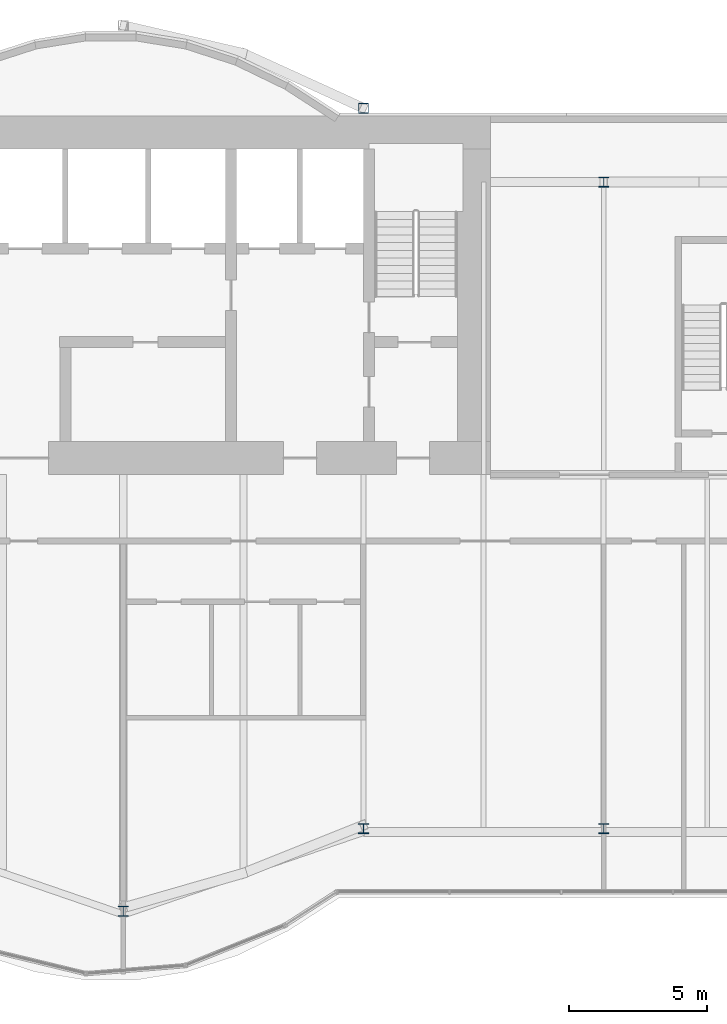
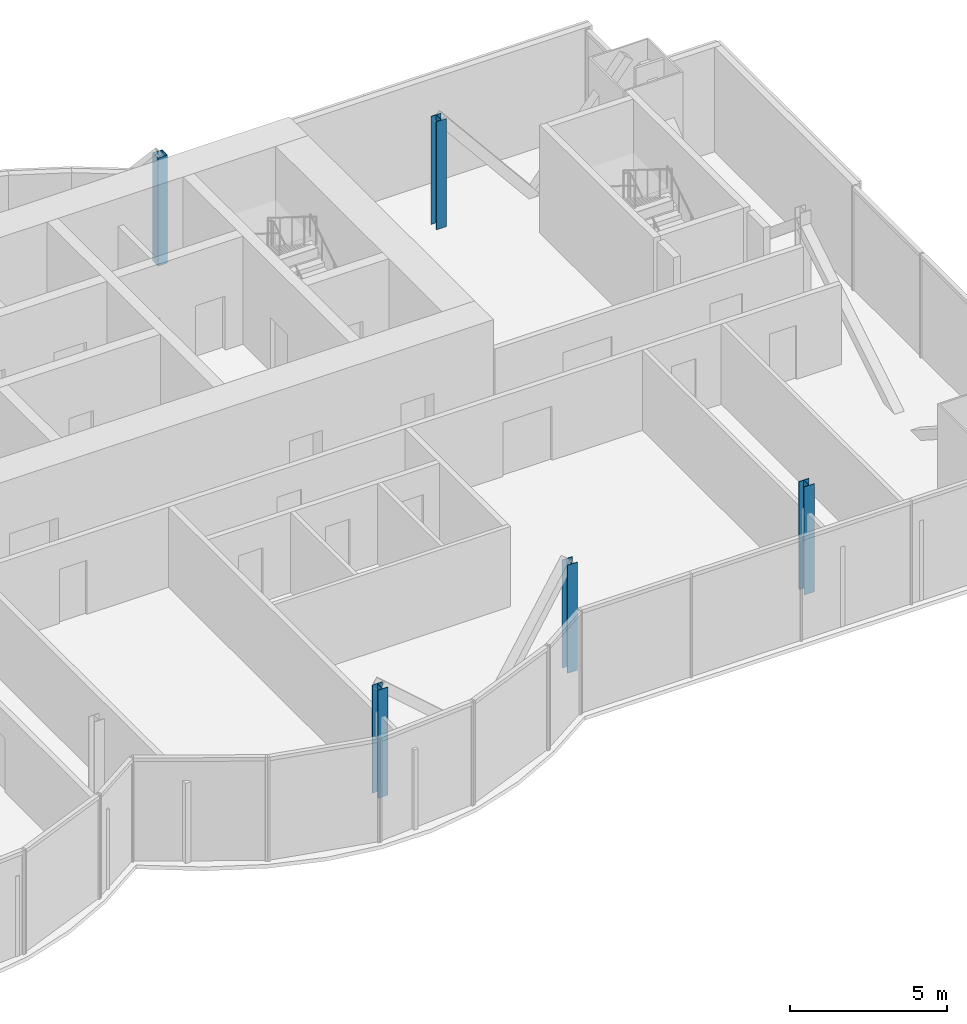
# One storey, part 2 of 19: 5 columns.
"""IFC4 building model written with IfcOpenShell, lengths in metres."""

from ifc_helpers import new_model, si_unit, direction, frame, origin, origin_2d, place, context, subcontext, project, spatial, hollow_rectangle, i_section, extrude, material, material_profile, profile_set, type_object, element, save


model = new_model("IFC4")

# Units and contexts
model_context = context("Model", 3, precision=1e-05, world=origin(), true_north=direction((0.0, 1.0)))
body_context = subcontext(model_context, "Body", "Model", "MODEL_VIEW")
ifc_project = project(units=[si_unit("LENGTHUNIT", "METRE"), si_unit("AREAUNIT", "SQUARE_METRE"), si_unit("VOLUMEUNIT", "CUBIC_METRE"), si_unit("PLANEANGLEUNIT", "RADIAN"), si_unit("MASSUNIT", "GRAM", prefix="KILO")], contexts=[model_context])

# Site, building, storey
site_placement = place(None, origin())
site = spatial("IfcSite", under=ifc_project, at=site_placement, CompositionType="ELEMENT")
building_placement = place(site_placement, origin())
building = spatial("IfcBuilding", under=site, at=building_placement, Name="Bicima Exchange Tower", CompositionType="ELEMENT")
storey_placement = place(building_placement, frame((0.0, 0.0, 275.0)))
storey = spatial("IfcBuildingStorey", under=building, at=storey_placement, Name="L62", CompositionType="ELEMENT", Elevation=275.0)

# Columns
ifc_material_1 = material(Name="Steel ASTM A992 Gr 50", Category="steel")
ifc_material_profile_1 = material_profile(ifc_material_1, i_section(OverallWidth=0.370849609375, OverallDepth=0.36328125, WebThickness=0.013427734375, FlangeThickness=0.021728515625, at=origin_2d()))
ifc_profile_set_1 = profile_set([ifc_material_profile_1], Name="Steel ASTM A992 Gr 50")
column_type_1 = type_object("IfcColumnType", Name="Perimeter column W14x109", PredefinedType="COLUMN", material=ifc_profile_set_1)
for number, where, z_axis, x_axis, name in (
    (1, (8.699951171875, -28.80517578125, 0.0), (0.0, 0.0, 1.0), (1.0, 0.0, 0.0), "Perimeter column grav+8.7f"),
    (2, (17.39990234375, -25.81396484375, 0.0), (0.0, 0.0, 1.0), (1.0, 0.0, 0.0), "Perimeter column grav+17.4f"),
    (3, (26.10009765625, -25.81396484375, 0.0), (0.0, 0.0, 1.0), (1.0, 0.0, 0.0), "Perimeter column grav+26.1f"),
    (4, (26.10009765625, -2.39990234375, 0.0), (0.0, 0.0, 1.0), (1.0, 0.0, 0.0), "Perimeter column grav+26.1r"),
):
    element("IfcColumn", number, at=place(storey_placement, frame(where, z_axis=z_axis, x_axis=x_axis)), inside=storey, type_object=column_type_1, Name=name, PredefinedType="COLUMN", context=body_context, shape_type="SweptSolid", body=[
        extrude(i_section(OverallWidth=0.370849609375, OverallDepth=0.36328125, WebThickness=0.013427734375, FlangeThickness=0.021728515625, at=origin_2d()), origin(), (0.0, 0.0, 1.0), 4.199951171875),
    ])
ifc_material_2 = material(Name="Steel ASTM A572 Gr 50", Category="steel")
ifc_material_profile_2 = material_profile(ifc_material_2, hollow_rectangle(XDim=0.355712890625, YDim=0.355712890625, WallThickness=0.01171875, at=origin_2d()))
ifc_profile_set_2 = profile_set([ifc_material_profile_2], Name="Steel ASTM A572 Gr 50")
column_type_2 = type_object("IfcColumnType", Name="Rear pilaster HSS14x14x1/2", PredefinedType="COLUMN", material=ifc_profile_set_2)
column_placement = place(storey_placement, frame((17.39990234375, 0.278076171875, 0.0), z_axis=(0.0, 0.0, 1.0), x_axis=(1.0, 0.0, 0.0)))
element("IfcColumn", 5, at=column_placement, inside=storey, type_object=column_type_2, Name="Rear pilaster rexo+17.4r", PredefinedType="COLUMN", context=body_context, shape_type="SweptSolid", body=[
    extrude(hollow_rectangle(XDim=0.355712890625, YDim=0.355712890625, WallThickness=0.01171875, at=origin_2d()), origin(), (0.0, 0.0, 1.0), 4.199951171875),
])

save(model, "model.ifc")
